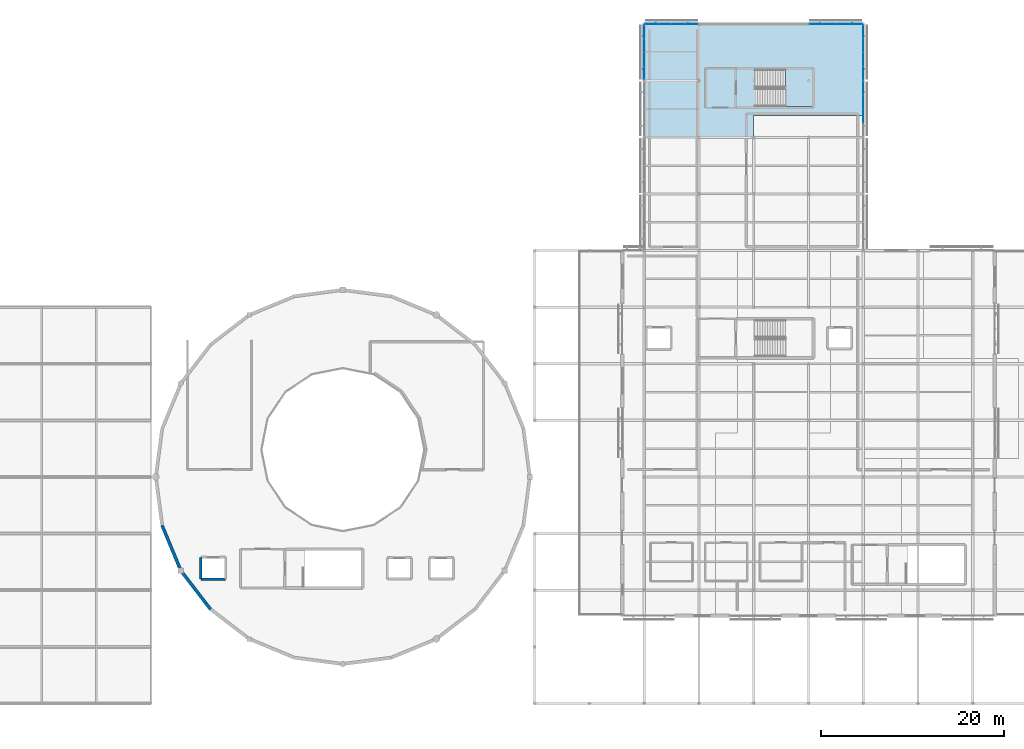
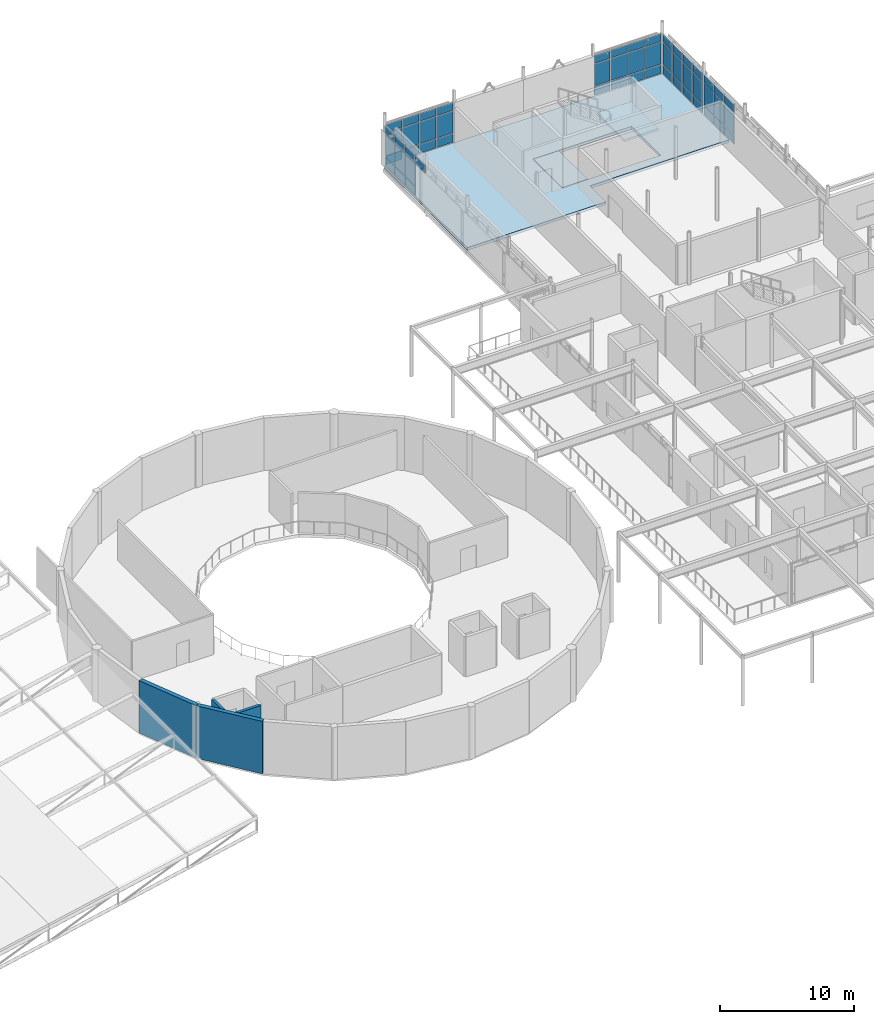
# One storey, part 39 of 48: 55 plates, 4 walls, 3 slabs, 6 elements without a shape of their own.
"""IFC4 building model written with IfcOpenShell, lengths in metres."""

from ifc_helpers import new_model, si_unit, direction, frame, frame_2d, origin, origin_2d, place, context, subcontext, project, spatial, polyline, rectangle, outline, extrude, material, layer, layer_set, type_object, element, aggregate, save


model = new_model("IFC4")

# Units and contexts
model_context = context("Model", 3, precision=1e-05, world=origin(), true_north=direction((0.0, 1.0)))
body_context = subcontext(model_context, "Body", "Model", "MODEL_VIEW")
ifc_project = project(units=[si_unit("LENGTHUNIT", "METRE"), si_unit("AREAUNIT", "SQUARE_METRE"), si_unit("VOLUMEUNIT", "CUBIC_METRE"), si_unit("PLANEANGLEUNIT", "RADIAN"), si_unit("MASSUNIT", "GRAM", prefix="KILO")], contexts=[model_context])

# Site, building, storey
site_placement = place(None, origin())
site = spatial("IfcSite", under=ifc_project, at=site_placement, CompositionType="ELEMENT")
building_placement = place(site_placement, origin())
building = spatial("IfcBuilding", under=site, at=building_placement, Name="Mirzam Square Science Centre", CompositionType="ELEMENT")
storey_placement = place(building_placement, frame((0.0, 0.0, 20.39990234375)))
storey = spatial("IfcBuildingStorey", under=building, at=storey_placement, Name="L04", CompositionType="ELEMENT", Elevation=20.39990234375)

# Curtain wall, plates
ifc_material_1 = material(Name="Anodised Aluminium and Low-E Solar Glass", Category="aluminium")
ifc_layer_1 = layer(ifc_material_1, 0.219970703125)
ifc_layer_set_1 = layer_set([ifc_layer_1], Name="CW-OBS-A")
curtain_wall_type_1 = type_object("IfcCurtainWallType", Name="CW-OBS-A", PredefinedType="USERDEFINED", material=ifc_layer_set_1)
curtain_wall_1_placement = place(storey_placement, origin())
curtain_wall_1 = element("IfcCurtainWall", 1, at=curtain_wall_1_placement, inside=storey, type_object=curtain_wall_type_1, Name="L04 unitised curtain wall 163", ObjectType="UNITISED CURTAIN WALL", PredefinedType="USERDEFINED")
ifc_material_2 = material(Name="Triple-Glazed Acoustic Low-E Solar Glass", Category="glass")
ifc_layer_2 = layer(ifc_material_2, 0.031982421875)
ifc_layer_set_2 = layer_set([ifc_layer_2], Name="CWP-GLZ-32")
plate_type_1 = type_object("IfcPlateType", Name="CWP-GLZ-32", PredefinedType="CURTAIN_PANEL", material=ifc_layer_set_2)
plate_1_placement = place(storey_placement, frame((138.0, 101.538818359375, 0.06005859375), z_axis=(0.0, 0.0, 1.0), x_axis=(0.0, 1.0, 0.0)))
plate_1 = element("IfcPlate", 2, at=plate_1_placement, type_object=plate_type_1, Name="CW-07 panel 2.1", PredefinedType="CURTAIN_PANEL", context=body_context, shape_type="SweptSolid", body=[
    extrude(rectangle(XDim=1.46240234375, YDim=0.031982421875, at=origin_2d()), origin(), (0.0, 0.0, 1.0), 0.81005859375),
])
plate_2_placement = place(storey_placement, frame((138.0, 101.538818359375, 0.93017578125), z_axis=(0.0, 0.0, 1.0), x_axis=(0.0, 1.0, 0.0)))
plate_2 = element("IfcPlate", 3, at=plate_2_placement, type_object=plate_type_1, Name="CW-07 panel 2.2", PredefinedType="CURTAIN_PANEL", context=body_context, shape_type="SweptSolid", body=[
    extrude(rectangle(XDim=1.46240234375, YDim=0.031982421875, at=origin_2d()), origin(), (0.0, 0.0, 1.0), 2.0),
])
plate_3_placement = place(storey_placement, frame((138.0, 101.538818359375, 2.990234375), z_axis=(0.0, 0.0, 1.0), x_axis=(0.0, 1.0, 0.0)))
plate_3 = element("IfcPlate", 4, at=plate_3_placement, type_object=plate_type_1, Name="CW-07 panel 2.3", PredefinedType="CURTAIN_PANEL", context=body_context, shape_type="SweptSolid", body=[
    extrude(rectangle(XDim=1.46240234375, YDim=0.031982421875, at=origin_2d()), origin(), (0.0, 0.0, 1.0), 0.7099609375),
])
plate_4_placement = place(storey_placement, frame((138.0, 103.061279296875, 0.06005859375), z_axis=(0.0, 0.0, 1.0), x_axis=(0.0, 1.0, 0.0)))
plate_4 = element("IfcPlate", 5, at=plate_4_placement, type_object=plate_type_1, Name="CW-07 panel 3.1", PredefinedType="CURTAIN_PANEL", context=body_context, shape_type="SweptSolid", body=[
    extrude(rectangle(XDim=1.46240234375, YDim=0.031982421875, at=origin_2d()), origin(), (0.0, 0.0, 1.0), 0.81005859375),
])
plate_5_placement = place(storey_placement, frame((138.0, 103.061279296875, 0.93017578125), z_axis=(0.0, 0.0, 1.0), x_axis=(0.0, 1.0, 0.0)))
plate_5 = element("IfcPlate", 6, at=plate_5_placement, type_object=plate_type_1, Name="CW-07 panel 3.2", PredefinedType="CURTAIN_PANEL", context=body_context, shape_type="SweptSolid", body=[
    extrude(rectangle(XDim=1.46240234375, YDim=0.031982421875, at=origin_2d()), origin(), (0.0, 0.0, 1.0), 2.0),
])
plate_6_placement = place(storey_placement, frame((138.0, 103.061279296875, 2.990234375), z_axis=(0.0, 0.0, 1.0), x_axis=(0.0, 1.0, 0.0)))
plate_6 = element("IfcPlate", 7, at=plate_6_placement, type_object=plate_type_1, Name="CW-07 panel 3.3", PredefinedType="CURTAIN_PANEL", context=body_context, shape_type="SweptSolid", body=[
    extrude(rectangle(XDim=1.46240234375, YDim=0.031982421875, at=origin_2d()), origin(), (0.0, 0.0, 1.0), 0.7099609375),
])
plate_7_placement = place(storey_placement, frame((138.0, 104.56884765625, 0.06005859375), z_axis=(0.0, 0.0, 1.0), x_axis=(0.0, 1.0, 0.0)))
plate_7 = element("IfcPlate", 8, at=plate_7_placement, type_object=plate_type_1, Name="CW-07 panel 4.1", PredefinedType="CURTAIN_PANEL", context=body_context, shape_type="SweptSolid", body=[
    extrude(rectangle(XDim=1.4326171875, YDim=0.031982421875, at=origin_2d()), origin(), (0.0, 0.0, 1.0), 0.81005859375),
])
plate_8_placement = place(storey_placement, frame((138.0, 104.56884765625, 0.93017578125), z_axis=(0.0, 0.0, 1.0), x_axis=(0.0, 1.0, 0.0)))
plate_8 = element("IfcPlate", 9, at=plate_8_placement, type_object=plate_type_1, Name="CW-07 panel 4.2", PredefinedType="CURTAIN_PANEL", context=body_context, shape_type="SweptSolid", body=[
    extrude(rectangle(XDim=1.4326171875, YDim=0.031982421875, at=origin_2d()), origin(), (0.0, 0.0, 1.0), 2.0),
])
plate_9_placement = place(storey_placement, frame((138.0, 104.56884765625, 2.990234375), z_axis=(0.0, 0.0, 1.0), x_axis=(0.0, 1.0, 0.0)))
plate_9 = element("IfcPlate", 10, at=plate_9_placement, type_object=plate_type_1, Name="CW-07 panel 4.3", PredefinedType="CURTAIN_PANEL", context=body_context, shape_type="SweptSolid", body=[
    extrude(rectangle(XDim=1.4326171875, YDim=0.031982421875, at=origin_2d()), origin(), (0.0, 0.0, 1.0), 0.7099609375),
])
aggregate(curtain_wall_1, [plate_1, plate_2, plate_3, plate_4, plate_5, plate_6, plate_7, plate_8, plate_9])

curtain_wall_2_placement = place(storey_placement, origin())
curtain_wall_2 = element("IfcCurtainWall", 11, at=curtain_wall_2_placement, inside=storey, type_object=curtain_wall_type_1, Name="L04 unitised curtain wall 157", ObjectType="UNITISED CURTAIN WALL", PredefinedType="USERDEFINED")
ifc_material_3 = material(Name="Laminated Low-Iron Observatory Solar Glass", Category="glass")
ifc_layer_3 = layer(ifc_material_3, 0.035888671875)
ifc_layer_set_3 = layer_set([ifc_layer_3], Name="CWP-GLZ-36")
plate_type_2 = type_object("IfcPlateType", Name="CWP-GLZ-36", PredefinedType="CURTAIN_PANEL", material=ifc_layer_set_3)
plate_10_placement = place(storey_placement, frame((137.1923828125, 111.60009765625, 0.06494140625), z_axis=(0.0, 0.0, 1.0), x_axis=(-1.0, 0.0, 0.0)))
plate_10 = element("IfcPlate", 12, at=plate_10_placement, type_object=plate_type_2, Name="CW-07 panel 1.1", PredefinedType="CURTAIN_PANEL", context=body_context, shape_type="SweptSolid", body=[
    extrude(rectangle(XDim=1.375, YDim=0.035888671875, at=origin_2d()), origin(), (0.0, 0.0, 1.0), 0.802490234375),
])
plate_11_placement = place(storey_placement, frame((137.1923828125, 111.60009765625, 0.9326171875), z_axis=(0.0, 0.0, 1.0), x_axis=(-1.0, 0.0, 0.0)))
plate_11 = element("IfcPlate", 13, at=plate_11_placement, type_object=plate_type_2, Name="CW-07 panel 1.2", PredefinedType="CURTAIN_PANEL", context=body_context, shape_type="SweptSolid", body=[
    extrude(rectangle(XDim=1.375, YDim=0.035888671875, at=origin_2d()), origin(), (0.0, 0.0, 1.0), 1.9951171875),
])
plate_12_placement = place(storey_placement, frame((137.1923828125, 111.60009765625, 2.99267578125), z_axis=(0.0, 0.0, 1.0), x_axis=(-1.0, 0.0, 0.0)))
plate_12 = element("IfcPlate", 14, at=plate_12_placement, type_object=plate_type_2, Name="CW-07 panel 1.3", PredefinedType="CURTAIN_PANEL", context=body_context, shape_type="SweptSolid", body=[
    extrude(rectangle(XDim=1.375, YDim=0.035888671875, at=origin_2d()), origin(), (0.0, 0.0, 1.0), 0.702392578125),
])
plate_13_placement = place(storey_placement, frame((135.736328125, 111.60009765625, 0.06494140625), z_axis=(0.0, 0.0, 1.0), x_axis=(-1.0, 0.0, 0.0)))
plate_13 = element("IfcPlate", 15, at=plate_13_placement, type_object=plate_type_2, Name="CW-07 panel 2.1", PredefinedType="CURTAIN_PANEL", context=body_context, shape_type="SweptSolid", body=[
    extrude(rectangle(XDim=1.407470703125, YDim=0.035888671875, at=origin_2d()), origin(), (0.0, 0.0, 1.0), 0.802490234375),
])
plate_14_placement = place(storey_placement, frame((135.736328125, 111.60009765625, 0.9326171875), z_axis=(0.0, 0.0, 1.0), x_axis=(-1.0, 0.0, 0.0)))
plate_14 = element("IfcPlate", 16, at=plate_14_placement, type_object=plate_type_2, Name="CW-07 panel 2.2", PredefinedType="CURTAIN_PANEL", context=body_context, shape_type="SweptSolid", body=[
    extrude(rectangle(XDim=1.407470703125, YDim=0.035888671875, at=origin_2d()), origin(), (0.0, 0.0, 1.0), 1.9951171875),
])
plate_15_placement = place(storey_placement, frame((135.736328125, 111.60009765625, 2.99267578125), z_axis=(0.0, 0.0, 1.0), x_axis=(-1.0, 0.0, 0.0)))
plate_15 = element("IfcPlate", 17, at=plate_15_placement, type_object=plate_type_2, Name="CW-07 panel 2.3", PredefinedType="CURTAIN_PANEL", context=body_context, shape_type="SweptSolid", body=[
    extrude(rectangle(XDim=1.407470703125, YDim=0.035888671875, at=origin_2d()), origin(), (0.0, 0.0, 1.0), 0.702392578125),
])
plate_16_placement = place(storey_placement, frame((134.263671875, 111.60009765625, 0.06494140625), z_axis=(0.0, 0.0, 1.0), x_axis=(-1.0, 0.0, 0.0)))
plate_16 = element("IfcPlate", 18, at=plate_16_placement, type_object=plate_type_2, Name="CW-07 panel 3.1", PredefinedType="CURTAIN_PANEL", context=body_context, shape_type="SweptSolid", body=[
    extrude(rectangle(XDim=1.407470703125, YDim=0.035888671875, at=origin_2d()), origin(), (0.0, 0.0, 1.0), 0.802490234375),
])
plate_17_placement = place(storey_placement, frame((134.263671875, 111.60009765625, 0.9326171875), z_axis=(0.0, 0.0, 1.0), x_axis=(-1.0, 0.0, 0.0)))
plate_17 = element("IfcPlate", 19, at=plate_17_placement, type_object=plate_type_2, Name="CW-07 panel 3.2", PredefinedType="CURTAIN_PANEL", context=body_context, shape_type="SweptSolid", body=[
    extrude(rectangle(XDim=1.407470703125, YDim=0.035888671875, at=origin_2d()), origin(), (0.0, 0.0, 1.0), 1.9951171875),
])
plate_18_placement = place(storey_placement, frame((134.263671875, 111.60009765625, 2.99267578125), z_axis=(0.0, 0.0, 1.0), x_axis=(-1.0, 0.0, 0.0)))
plate_18 = element("IfcPlate", 20, at=plate_18_placement, type_object=plate_type_2, Name="CW-07 panel 3.3", PredefinedType="CURTAIN_PANEL", context=body_context, shape_type="SweptSolid", body=[
    extrude(rectangle(XDim=1.407470703125, YDim=0.035888671875, at=origin_2d()), origin(), (0.0, 0.0, 1.0), 0.702392578125),
])
plate_19_placement = place(storey_placement, frame((132.8076171875, 111.60009765625, 0.06494140625), z_axis=(0.0, 0.0, 1.0), x_axis=(-1.0, 0.0, 0.0)))
plate_19 = element("IfcPlate", 21, at=plate_19_placement, type_object=plate_type_2, Name="CW-07 panel 4.1", PredefinedType="CURTAIN_PANEL", context=body_context, shape_type="SweptSolid", body=[
    extrude(rectangle(XDim=1.375, YDim=0.035888671875, at=origin_2d()), origin(), (0.0, 0.0, 1.0), 0.802490234375),
])
plate_20_placement = place(storey_placement, frame((132.8076171875, 111.60009765625, 0.9326171875), z_axis=(0.0, 0.0, 1.0), x_axis=(-1.0, 0.0, 0.0)))
plate_20 = element("IfcPlate", 22, at=plate_20_placement, type_object=plate_type_2, Name="CW-07 panel 4.2", PredefinedType="CURTAIN_PANEL", context=body_context, shape_type="SweptSolid", body=[
    extrude(rectangle(XDim=1.375, YDim=0.035888671875, at=origin_2d()), origin(), (0.0, 0.0, 1.0), 1.9951171875),
])
plate_21_placement = place(storey_placement, frame((132.8076171875, 111.60009765625, 2.99267578125), z_axis=(0.0, 0.0, 1.0), x_axis=(-1.0, 0.0, 0.0)))
plate_21 = element("IfcPlate", 23, at=plate_21_placement, type_object=plate_type_2, Name="CW-07 panel 4.3", PredefinedType="CURTAIN_PANEL", context=body_context, shape_type="SweptSolid", body=[
    extrude(rectangle(XDim=1.375, YDim=0.035888671875, at=origin_2d()), origin(), (0.0, 0.0, 1.0), 0.702392578125),
])
aggregate(curtain_wall_2, [plate_10, plate_11, plate_12, plate_13, plate_14, plate_15, plate_16, plate_17, plate_18, plate_19, plate_20, plate_21])

ifc_layer_4 = layer(ifc_material_1, 0.179931640625)
ifc_layer_set_4 = layer_set([ifc_layer_4], Name="CW-LINK-A")
curtain_wall_type_2 = type_object("IfcCurtainWallType", Name="CW-LINK-A", PredefinedType="USERDEFINED", material=ifc_layer_set_4)
curtain_wall_3_placement = place(storey_placement, origin())
curtain_wall_3 = element("IfcCurtainWall", 24, at=curtain_wall_3_placement, inside=storey, type_object=curtain_wall_type_2, Name="L04 unitised curtain wall 165", ObjectType="UNITISED CURTAIN WALL", PredefinedType="USERDEFINED")
plate_22_placement = place(storey_placement, frame((138.0, 106.232421875, 0.06494140625), z_axis=(0.0, 0.0, 1.0), x_axis=(0.0, 1.0, 0.0)))
plate_22 = element("IfcPlate", 25, at=plate_22_placement, type_object=plate_type_2, Name="CW-08 panel 1.1", PredefinedType="CURTAIN_PANEL", context=body_context, shape_type="SweptSolid", body=[
    extrude(rectangle(XDim=1.425048828125, YDim=0.035888671875, at=origin_2d()), origin(), (0.0, 0.0, 1.0), 0.802490234375),
])
plate_23_placement = place(storey_placement, frame((138.0, 106.232421875, 0.9326171875), z_axis=(0.0, 0.0, 1.0), x_axis=(0.0, 1.0, 0.0)))
plate_23 = element("IfcPlate", 26, at=plate_23_placement, type_object=plate_type_2, Name="CW-08 panel 1.2", PredefinedType="CURTAIN_PANEL", context=body_context, shape_type="SweptSolid", body=[
    extrude(rectangle(XDim=1.425048828125, YDim=0.035888671875, at=origin_2d()), origin(), (0.0, 0.0, 1.0), 1.9951171875),
])
plate_24_placement = place(storey_placement, frame((138.0, 106.232421875, 2.99267578125), z_axis=(0.0, 0.0, 1.0), x_axis=(0.0, 1.0, 0.0)))
plate_24 = element("IfcPlate", 27, at=plate_24_placement, type_object=plate_type_2, Name="CW-08 panel 1.3", PredefinedType="CURTAIN_PANEL", context=body_context, shape_type="SweptSolid", body=[
    extrude(rectangle(XDim=1.425048828125, YDim=0.035888671875, at=origin_2d()), origin(), (0.0, 0.0, 1.0), 0.702392578125),
])
plate_25_placement = place(storey_placement, frame((138.0, 107.73876953125, 0.06494140625), z_axis=(0.0, 0.0, 1.0), x_axis=(0.0, 1.0, 0.0)))
plate_25 = element("IfcPlate", 28, at=plate_25_placement, type_object=plate_type_2, Name="CW-08 panel 2.1", PredefinedType="CURTAIN_PANEL", context=body_context, shape_type="SweptSolid", body=[
    extrude(rectangle(XDim=1.45751953125, YDim=0.035888671875, at=origin_2d()), origin(), (0.0, 0.0, 1.0), 0.802490234375),
])
plate_26_placement = place(storey_placement, frame((138.0, 107.73876953125, 0.9326171875), z_axis=(0.0, 0.0, 1.0), x_axis=(0.0, 1.0, 0.0)))
plate_26 = element("IfcPlate", 29, at=plate_26_placement, type_object=plate_type_2, Name="CW-08 panel 2.2", PredefinedType="CURTAIN_PANEL", context=body_context, shape_type="SweptSolid", body=[
    extrude(rectangle(XDim=1.45751953125, YDim=0.035888671875, at=origin_2d()), origin(), (0.0, 0.0, 1.0), 1.9951171875),
])
plate_27_placement = place(storey_placement, frame((138.0, 107.73876953125, 2.99267578125), z_axis=(0.0, 0.0, 1.0), x_axis=(0.0, 1.0, 0.0)))
plate_27 = element("IfcPlate", 30, at=plate_27_placement, type_object=plate_type_2, Name="CW-08 panel 2.3", PredefinedType="CURTAIN_PANEL", context=body_context, shape_type="SweptSolid", body=[
    extrude(rectangle(XDim=1.45751953125, YDim=0.035888671875, at=origin_2d()), origin(), (0.0, 0.0, 1.0), 0.702392578125),
])
plate_28_placement = place(storey_placement, frame((138.0, 109.26123046875, 0.06494140625), z_axis=(0.0, 0.0, 1.0), x_axis=(0.0, 1.0, 0.0)))
plate_28 = element("IfcPlate", 31, at=plate_28_placement, type_object=plate_type_2, Name="CW-08 panel 3.1", PredefinedType="CURTAIN_PANEL", context=body_context, shape_type="SweptSolid", body=[
    extrude(rectangle(XDim=1.45751953125, YDim=0.035888671875, at=origin_2d()), origin(), (0.0, 0.0, 1.0), 0.802490234375),
])
plate_29_placement = place(storey_placement, frame((138.0, 109.26123046875, 0.9326171875), z_axis=(0.0, 0.0, 1.0), x_axis=(0.0, 1.0, 0.0)))
plate_29 = element("IfcPlate", 32, at=plate_29_placement, type_object=plate_type_2, Name="CW-08 panel 3.2", PredefinedType="CURTAIN_PANEL", context=body_context, shape_type="SweptSolid", body=[
    extrude(rectangle(XDim=1.45751953125, YDim=0.035888671875, at=origin_2d()), origin(), (0.0, 0.0, 1.0), 1.9951171875),
])
plate_30_placement = place(storey_placement, frame((138.0, 109.26123046875, 2.99267578125), z_axis=(0.0, 0.0, 1.0), x_axis=(0.0, 1.0, 0.0)))
plate_30 = element("IfcPlate", 33, at=plate_30_placement, type_object=plate_type_2, Name="CW-08 panel 3.3", PredefinedType="CURTAIN_PANEL", context=body_context, shape_type="SweptSolid", body=[
    extrude(rectangle(XDim=1.45751953125, YDim=0.035888671875, at=origin_2d()), origin(), (0.0, 0.0, 1.0), 0.702392578125),
])
plate_31_placement = place(storey_placement, frame((138.0, 110.767578125, 0.06494140625), z_axis=(0.0, 0.0, 1.0), x_axis=(0.0, 1.0, 0.0)))
plate_31 = element("IfcPlate", 34, at=plate_31_placement, type_object=plate_type_2, Name="CW-08 panel 4.1", PredefinedType="CURTAIN_PANEL", context=body_context, shape_type="SweptSolid", body=[
    extrude(rectangle(XDim=1.425048828125, YDim=0.035888671875, at=origin_2d()), origin(), (0.0, 0.0, 1.0), 0.802490234375),
])
plate_32_placement = place(storey_placement, frame((138.0, 110.767578125, 0.9326171875), z_axis=(0.0, 0.0, 1.0), x_axis=(0.0, 1.0, 0.0)))
plate_32 = element("IfcPlate", 35, at=plate_32_placement, type_object=plate_type_2, Name="CW-08 panel 4.2", PredefinedType="CURTAIN_PANEL", context=body_context, shape_type="SweptSolid", body=[
    extrude(rectangle(XDim=1.425048828125, YDim=0.035888671875, at=origin_2d()), origin(), (0.0, 0.0, 1.0), 1.9951171875),
])
plate_33_placement = place(storey_placement, frame((138.0, 110.767578125, 2.99267578125), z_axis=(0.0, 0.0, 1.0), x_axis=(0.0, 1.0, 0.0)))
plate_33 = element("IfcPlate", 36, at=plate_33_placement, type_object=plate_type_2, Name="CW-08 panel 4.3", PredefinedType="CURTAIN_PANEL", context=body_context, shape_type="SweptSolid", body=[
    extrude(rectangle(XDim=1.425048828125, YDim=0.035888671875, at=origin_2d()), origin(), (0.0, 0.0, 1.0), 0.702392578125),
])
aggregate(curtain_wall_3, [plate_22, plate_23, plate_24, plate_25, plate_26, plate_27, plate_28, plate_29, plate_30, plate_31, plate_32, plate_33])

ifc_layer_5 = layer(ifc_material_1, 0.159912109375)
ifc_layer_set_5 = layer_set([ifc_layer_5], Name="CW-COURT-B")
curtain_wall_type_3 = type_object("IfcCurtainWallType", Name="CW-COURT-B", PredefinedType="USERDEFINED", material=ifc_layer_set_5)
curtain_wall_4_placement = place(storey_placement, origin())
curtain_wall_4 = element("IfcCurtainWall", 37, at=curtain_wall_4_placement, inside=storey, type_object=curtain_wall_type_3, Name="L04 unitised curtain wall 156", ObjectType="UNITISED CURTAIN WALL", PredefinedType="USERDEFINED")
ifc_material_4 = material(Name="Acoustic Laminated Solar Spandrel Glass", Category="glass")
ifc_layer_6 = layer(ifc_material_4, 0.0400390625)
ifc_layer_set_6 = layer_set([ifc_layer_6], Name="CWP-GLZ-40")
plate_type_3 = type_object("IfcPlateType", Name="CWP-GLZ-40", PredefinedType="CURTAIN_PANEL", material=ifc_layer_set_6)
plate_34_placement = place(storey_placement, frame((119.1923828125, 111.60009765625, 0.06494140625), z_axis=(0.0, 0.0, 1.0), x_axis=(-1.0, 0.0, 0.0)))
plate_34 = element("IfcPlate", 38, at=plate_34_placement, type_object=plate_type_3, Name="CW-04 panel 1.1", PredefinedType="CURTAIN_PANEL", context=body_context, shape_type="SweptSolid", body=[
    extrude(rectangle(XDim=1.375, YDim=0.0400390625, at=origin_2d()), origin(), (0.0, 0.0, 1.0), 0.802490234375),
])
plate_35_placement = place(storey_placement, frame((119.1923828125, 111.60009765625, 0.9326171875), z_axis=(0.0, 0.0, 1.0), x_axis=(-1.0, 0.0, 0.0)))
plate_35 = element("IfcPlate", 39, at=plate_35_placement, type_object=plate_type_3, Name="CW-04 panel 1.2", PredefinedType="CURTAIN_PANEL", context=body_context, shape_type="SweptSolid", body=[
    extrude(rectangle(XDim=1.375, YDim=0.0400390625, at=origin_2d()), origin(), (0.0, 0.0, 1.0), 1.9951171875),
])
plate_36_placement = place(storey_placement, frame((119.1923828125, 111.60009765625, 2.99267578125), z_axis=(0.0, 0.0, 1.0), x_axis=(-1.0, 0.0, 0.0)))
plate_36 = element("IfcPlate", 40, at=plate_36_placement, type_object=plate_type_3, Name="CW-04 panel 1.3", PredefinedType="CURTAIN_PANEL", context=body_context, shape_type="SweptSolid", body=[
    extrude(rectangle(XDim=1.375, YDim=0.0400390625, at=origin_2d()), origin(), (0.0, 0.0, 1.0), 0.702392578125),
])
plate_37_placement = place(storey_placement, frame((117.736328125, 111.60009765625, 0.06494140625), z_axis=(0.0, 0.0, 1.0), x_axis=(-1.0, 0.0, 0.0)))
plate_37 = element("IfcPlate", 41, at=plate_37_placement, type_object=plate_type_3, Name="CW-04 panel 2.1", PredefinedType="CURTAIN_PANEL", context=body_context, shape_type="SweptSolid", body=[
    extrude(rectangle(XDim=1.407470703125, YDim=0.0400390625, at=origin_2d()), origin(), (0.0, 0.0, 1.0), 0.802490234375),
])
plate_38_placement = place(storey_placement, frame((117.736328125, 111.60009765625, 0.9326171875), z_axis=(0.0, 0.0, 1.0), x_axis=(-1.0, 0.0, 0.0)))
plate_38 = element("IfcPlate", 42, at=plate_38_placement, type_object=plate_type_3, Name="CW-04 panel 2.2", PredefinedType="CURTAIN_PANEL", context=body_context, shape_type="SweptSolid", body=[
    extrude(rectangle(XDim=1.407470703125, YDim=0.0400390625, at=origin_2d()), origin(), (0.0, 0.0, 1.0), 1.9951171875),
])
plate_39_placement = place(storey_placement, frame((117.736328125, 111.60009765625, 2.99267578125), z_axis=(0.0, 0.0, 1.0), x_axis=(-1.0, 0.0, 0.0)))
plate_39 = element("IfcPlate", 43, at=plate_39_placement, type_object=plate_type_3, Name="CW-04 panel 2.3", PredefinedType="CURTAIN_PANEL", context=body_context, shape_type="SweptSolid", body=[
    extrude(rectangle(XDim=1.407470703125, YDim=0.0400390625, at=origin_2d()), origin(), (0.0, 0.0, 1.0), 0.702392578125),
])
plate_40_placement = place(storey_placement, frame((116.263671875, 111.60009765625, 0.06494140625), z_axis=(0.0, 0.0, 1.0), x_axis=(-1.0, 0.0, 0.0)))
plate_40 = element("IfcPlate", 44, at=plate_40_placement, type_object=plate_type_3, Name="CW-04 panel 3.1", PredefinedType="CURTAIN_PANEL", context=body_context, shape_type="SweptSolid", body=[
    extrude(rectangle(XDim=1.407470703125, YDim=0.0400390625, at=origin_2d()), origin(), (0.0, 0.0, 1.0), 0.802490234375),
])
plate_41_placement = place(storey_placement, frame((116.263671875, 111.60009765625, 0.9326171875), z_axis=(0.0, 0.0, 1.0), x_axis=(-1.0, 0.0, 0.0)))
plate_41 = element("IfcPlate", 45, at=plate_41_placement, type_object=plate_type_3, Name="CW-04 panel 3.2", PredefinedType="CURTAIN_PANEL", context=body_context, shape_type="SweptSolid", body=[
    extrude(rectangle(XDim=1.407470703125, YDim=0.0400390625, at=origin_2d()), origin(), (0.0, 0.0, 1.0), 1.9951171875),
])
plate_42_placement = place(storey_placement, frame((116.263671875, 111.60009765625, 2.99267578125), z_axis=(0.0, 0.0, 1.0), x_axis=(-1.0, 0.0, 0.0)))
plate_42 = element("IfcPlate", 46, at=plate_42_placement, type_object=plate_type_3, Name="CW-04 panel 3.3", PredefinedType="CURTAIN_PANEL", context=body_context, shape_type="SweptSolid", body=[
    extrude(rectangle(XDim=1.407470703125, YDim=0.0400390625, at=origin_2d()), origin(), (0.0, 0.0, 1.0), 0.702392578125),
])
plate_43_placement = place(storey_placement, frame((114.8076171875, 111.60009765625, 0.06494140625), z_axis=(0.0, 0.0, 1.0), x_axis=(-1.0, 0.0, 0.0)))
plate_43 = element("IfcPlate", 47, at=plate_43_placement, type_object=plate_type_3, Name="CW-04 panel 4.1", PredefinedType="CURTAIN_PANEL", context=body_context, shape_type="SweptSolid", body=[
    extrude(rectangle(XDim=1.375, YDim=0.0400390625, at=origin_2d()), origin(), (0.0, 0.0, 1.0), 0.802490234375),
])
plate_44_placement = place(storey_placement, frame((114.8076171875, 111.60009765625, 0.9326171875), z_axis=(0.0, 0.0, 1.0), x_axis=(-1.0, 0.0, 0.0)))
plate_44 = element("IfcPlate", 48, at=plate_44_placement, type_object=plate_type_3, Name="CW-04 panel 4.2", PredefinedType="CURTAIN_PANEL", context=body_context, shape_type="SweptSolid", body=[
    extrude(rectangle(XDim=1.375, YDim=0.0400390625, at=origin_2d()), origin(), (0.0, 0.0, 1.0), 1.9951171875),
])
plate_45_placement = place(storey_placement, frame((114.8076171875, 111.60009765625, 2.99267578125), z_axis=(0.0, 0.0, 1.0), x_axis=(-1.0, 0.0, 0.0)))
plate_45 = element("IfcPlate", 49, at=plate_45_placement, type_object=plate_type_3, Name="CW-04 panel 4.3", PredefinedType="CURTAIN_PANEL", context=body_context, shape_type="SweptSolid", body=[
    extrude(rectangle(XDim=1.375, YDim=0.0400390625, at=origin_2d()), origin(), (0.0, 0.0, 1.0), 0.702392578125),
])
aggregate(curtain_wall_4, [plate_34, plate_35, plate_36, plate_37, plate_38, plate_39, plate_40, plate_41, plate_42, plate_43, plate_44, plate_45])

ifc_layer_7 = layer(ifc_material_1, 0.199951171875)
ifc_layer_set_7 = layer_set([ifc_layer_7], Name="CW-EAST-A")
curtain_wall_type_4 = type_object("IfcCurtainWallType", Name="CW-EAST-A", PredefinedType="USERDEFINED", material=ifc_layer_set_7)
curtain_wall_5_placement = place(storey_placement, origin())
curtain_wall_5 = element("IfcCurtainWall", 50, at=curtain_wall_5_placement, inside=storey, type_object=curtain_wall_type_4, Name="L04 unitised curtain wall 164", ObjectType="UNITISED CURTAIN WALL", PredefinedType="USERDEFINED")
plate_46_placement = place(storey_placement, frame((114.0, 110.767578125, 0.06494140625), z_axis=(0.0, 0.0, 1.0), x_axis=(0.0, -1.0, 0.0)))
plate_46 = element("IfcPlate", 51, at=plate_46_placement, type_object=plate_type_3, Name="CW-05 panel 1.1", PredefinedType="CURTAIN_PANEL", context=body_context, shape_type="SweptSolid", body=[
    extrude(rectangle(XDim=1.425048828125, YDim=0.0400390625, at=origin_2d()), origin(), (0.0, 0.0, 1.0), 0.802490234375),
])
plate_47_placement = place(storey_placement, frame((114.0, 110.767578125, 0.9326171875), z_axis=(0.0, 0.0, 1.0), x_axis=(0.0, -1.0, 0.0)))
plate_47 = element("IfcPlate", 52, at=plate_47_placement, type_object=plate_type_3, Name="CW-05 panel 1.2", PredefinedType="CURTAIN_PANEL", context=body_context, shape_type="SweptSolid", body=[
    extrude(rectangle(XDim=1.425048828125, YDim=0.0400390625, at=origin_2d()), origin(), (0.0, 0.0, 1.0), 1.9951171875),
])
plate_48_placement = place(storey_placement, frame((114.0, 110.767578125, 2.99267578125), z_axis=(0.0, 0.0, 1.0), x_axis=(0.0, -1.0, 0.0)))
plate_48 = element("IfcPlate", 53, at=plate_48_placement, type_object=plate_type_3, Name="CW-05 panel 1.3", PredefinedType="CURTAIN_PANEL", context=body_context, shape_type="SweptSolid", body=[
    extrude(rectangle(XDim=1.425048828125, YDim=0.0400390625, at=origin_2d()), origin(), (0.0, 0.0, 1.0), 0.702392578125),
])
plate_49_placement = place(storey_placement, frame((114.0, 109.26123046875, 0.06494140625), z_axis=(0.0, 0.0, 1.0), x_axis=(0.0, -1.0, 0.0)))
plate_49 = element("IfcPlate", 54, at=plate_49_placement, type_object=plate_type_3, Name="CW-05 panel 2.1", PredefinedType="CURTAIN_PANEL", context=body_context, shape_type="SweptSolid", body=[
    extrude(rectangle(XDim=1.45751953125, YDim=0.0400390625, at=origin_2d()), origin(), (0.0, 0.0, 1.0), 0.802490234375),
])
plate_50_placement = place(storey_placement, frame((114.0, 109.26123046875, 0.9326171875), z_axis=(0.0, 0.0, 1.0), x_axis=(0.0, -1.0, 0.0)))
plate_50 = element("IfcPlate", 55, at=plate_50_placement, type_object=plate_type_3, Name="CW-05 panel 2.2", PredefinedType="CURTAIN_PANEL", context=body_context, shape_type="SweptSolid", body=[
    extrude(rectangle(XDim=1.45751953125, YDim=0.0400390625, at=origin_2d()), origin(), (0.0, 0.0, 1.0), 1.9951171875),
])
plate_51_placement = place(storey_placement, frame((114.0, 109.26123046875, 2.99267578125), z_axis=(0.0, 0.0, 1.0), x_axis=(0.0, -1.0, 0.0)))
plate_51 = element("IfcPlate", 56, at=plate_51_placement, type_object=plate_type_3, Name="CW-05 panel 2.3", PredefinedType="CURTAIN_PANEL", context=body_context, shape_type="SweptSolid", body=[
    extrude(rectangle(XDim=1.45751953125, YDim=0.0400390625, at=origin_2d()), origin(), (0.0, 0.0, 1.0), 0.702392578125),
])
plate_52_placement = place(storey_placement, frame((114.0, 107.73876953125, 0.06494140625), z_axis=(0.0, 0.0, 1.0), x_axis=(0.0, -1.0, 0.0)))
plate_52 = element("IfcPlate", 57, at=plate_52_placement, type_object=plate_type_3, Name="CW-05 panel 3.1", PredefinedType="CURTAIN_PANEL", context=body_context, shape_type="SweptSolid", body=[
    extrude(rectangle(XDim=1.45751953125, YDim=0.0400390625, at=origin_2d()), origin(), (0.0, 0.0, 1.0), 0.802490234375),
])
plate_53_placement = place(storey_placement, frame((114.0, 107.73876953125, 0.9326171875), z_axis=(0.0, 0.0, 1.0), x_axis=(0.0, -1.0, 0.0)))
plate_53 = element("IfcPlate", 58, at=plate_53_placement, type_object=plate_type_3, Name="CW-05 panel 3.2", PredefinedType="CURTAIN_PANEL", context=body_context, shape_type="SweptSolid", body=[
    extrude(rectangle(XDim=1.45751953125, YDim=0.0400390625, at=origin_2d()), origin(), (0.0, 0.0, 1.0), 1.9951171875),
])
plate_54_placement = place(storey_placement, frame((114.0, 107.73876953125, 2.99267578125), z_axis=(0.0, 0.0, 1.0), x_axis=(0.0, -1.0, 0.0)))
plate_54 = element("IfcPlate", 59, at=plate_54_placement, type_object=plate_type_3, Name="CW-05 panel 3.3", PredefinedType="CURTAIN_PANEL", context=body_context, shape_type="SweptSolid", body=[
    extrude(rectangle(XDim=1.45751953125, YDim=0.0400390625, at=origin_2d()), origin(), (0.0, 0.0, 1.0), 0.702392578125),
])
plate_55_placement = place(storey_placement, frame((114.0, 106.232421875, 2.99267578125), z_axis=(0.0, 0.0, 1.0), x_axis=(0.0, -1.0, 0.0)))
plate_55 = element("IfcPlate", 60, at=plate_55_placement, type_object=plate_type_3, Name="CW-05 panel 4.3", PredefinedType="CURTAIN_PANEL", context=body_context, shape_type="SweptSolid", body=[
    extrude(rectangle(XDim=1.425048828125, YDim=0.0400390625, at=origin_2d()), origin(), (0.0, 0.0, 1.0), 0.702392578125),
])
aggregate(curtain_wall_5, [plate_46, plate_47, plate_48, plate_49, plate_50, plate_51, plate_52, plate_53, plate_54, plate_55])

# Slab
ifc_material_5 = material(Name="Concrete C40/50", Category="concrete")
ifc_layer_8 = layer(ifc_material_5, 0.25)
ifc_layer_set_8 = layer_set([ifc_layer_8], Name="SL-LAB-250")
slab_type_1 = type_object("IfcSlabType", Name="SL-LAB-250", PredefinedType="FLOOR", material=ifc_layer_set_8)
slab_1_placement = place(storey_placement, frame((0.0, 0.0, -0.25)))
element("IfcSlab", 61, at=slab_1_placement, inside=storey, type_object=slab_type_1, Name="L04 ne obs base 2 slab", PredefinedType="FLOOR", context=body_context, shape_type="SweptSolid", body=[
    extrude(outline(polyline([(114.0, 111.60009765625), (138.0, 111.60009765625), (138.0, 101.60498046875), (125.9951171875, 101.60498046875), (125.9951171875, 99.205078125), (114.0, 99.205078125), (114.0, 111.60009765625)]), holes=[polyline([(132.56005859375, 106.77001953125), (124.0400390625, 106.77001953125), (124.0400390625, 102.43994140625), (132.56005859375, 102.43994140625), (132.56005859375, 106.77001953125)])]), origin(), (0.0, 0.0, 1.0), 0.25),
])

# Stair, slab
stair_type = type_object("IfcStairType", Name="ST-CORE-7-480", PredefinedType="HALF_TURN_STAIR", material=ifc_material_5)
stair_placement = place(storey_placement, origin())
stair = element("IfcStair", 62, at=stair_placement, inside=storey, type_object=stair_type, Name="L04 ST-11", PredefinedType="HALF_TURN_STAIR")
ifc_layer_9 = layer(ifc_material_5, 0.199951171875)
ifc_layer_set_9 = layer_set([ifc_layer_9], Name="SL-LANDING-200")
slab_type_2 = type_object("IfcSlabType", Name="SL-LANDING-200", PredefinedType="LANDING", material=ifc_layer_set_9)
slab_2_placement = place(storey_placement, frame((0.0, 0.0, 2.2001953125)))
slab_2 = element("IfcSlab", 63, at=slab_2_placement, type_object=slab_type_2, Name="ST-11 landing 1", PredefinedType="LANDING", context=body_context, shape_type="SweptSolid", body=[
    extrude(outline(polyline([(129.489990234375, 102.550048828125), (132.449951171875, 102.550048828125), (132.449951171875, 106.659912109375), (129.489990234375, 106.659912109375), (129.489990234375, 102.550048828125)])), origin(), (0.0, 0.0, 1.0), 0.199951171875),
])
aggregate(stair, [slab_2])

# Slab
slab_3_placement = place(storey_placement, frame((0.0, 0.0, -0.199951171875)))
element("IfcSlab", 64, at=slab_3_placement, inside=storey, type_object=slab_type_2, Name="L04 CORE-7 floor landing", PredefinedType="LANDING", context=body_context, shape_type="SweptSolid", body=[
    extrude(outline(polyline([(126.280029296875, 102.445068359375), (124.044921875, 102.445068359375), (124.044921875, 106.764892578125), (126.280029296875, 106.764892578125), (126.280029296875, 102.445068359375)])), origin(), (0.0, 0.0, 1.0), 0.199951171875),
])

# Walls
ifc_material_6 = material(Name="Concrete C45/55", Category="concrete")
ifc_layer_10 = layer(ifc_material_6, 0.35009765625)
ifc_layer_set_10 = layer_set([ifc_layer_10], Name="W-DRUM-350")
wall_type_1 = type_object("IfcWallType", Name="W-DRUM-350", PredefinedType="SHEAR", material=ifc_layer_set_10)
for number, where, z_axis, x_axis, name in (
    (65, (61.198486328125, 56.694091796875, 0.0), (0.0, 0.0, 1.0), (0.382713071139, -0.923867255172, 0.0), "L04 planetarium drum wall 14"),
    (66, (63.24658203125, 51.75, 0.0), (0.0, 0.0, 1.0), (0.60876670321, -0.793349293227, 0.0), "L04 planetarium drum wall 15"),
):
    element("IfcWall", number, at=place(storey_placement, frame(where, z_axis=z_axis, x_axis=x_axis)), inside=storey, type_object=wall_type_1, Name=name, PredefinedType="SHEAR", context=body_context, shape_type="SweptSolid", body=[
        extrude(rectangle(XDim=5.3515625, YDim=0.35009765625, at=frame_2d((2.67578125, 0.0))), origin(), (0.0, 0.0, 1.0), 4.800048828125),
    ])
ifc_layer_11 = layer(ifc_material_6, 0.25)
ifc_layer_set_11 = layer_set([ifc_layer_11], Name="W-SHAFT-250")
wall_type_2 = type_object("IfcWallType", Name="W-SHAFT-250", PredefinedType="SHEAR", material=ifc_layer_set_11)
wall_1_placement = place(storey_placement, frame((65.449951171875, 50.800048828125, 0.0), z_axis=(0.0, 0.0, 1.0), x_axis=(1.0, 0.0, 0.0)))
element("IfcWall", 67, at=wall_1_placement, inside=storey, type_object=wall_type_2, Name="L04 lift LF-01 shaft wall S", PredefinedType="SHEAR", context=body_context, shape_type="SweptSolid", body=[
    extrude(rectangle(XDim=2.699951171875, YDim=0.25, at=frame_2d((1.35009765625, 0.0))), origin(), (0.0, 0.0, 1.0), 3.650146484375),
])
wall_2_placement = place(storey_placement, frame((65.449951171875, 53.199951171875, 0.0), z_axis=(0.0, 0.0, 1.0), x_axis=(0.0, -1.0, 0.0)))
element("IfcWall", 68, at=wall_2_placement, inside=storey, type_object=wall_type_2, Name="L04 lift LF-01 shaft wall W", PredefinedType="SHEAR", context=body_context, shape_type="SweptSolid", body=[
    extrude(rectangle(XDim=2.39990234375, YDim=0.25, at=frame_2d((1.199951171875, 0.0))), origin(), (0.0, 0.0, 1.0), 3.650146484375),
])

save(model, "model.ifc")
